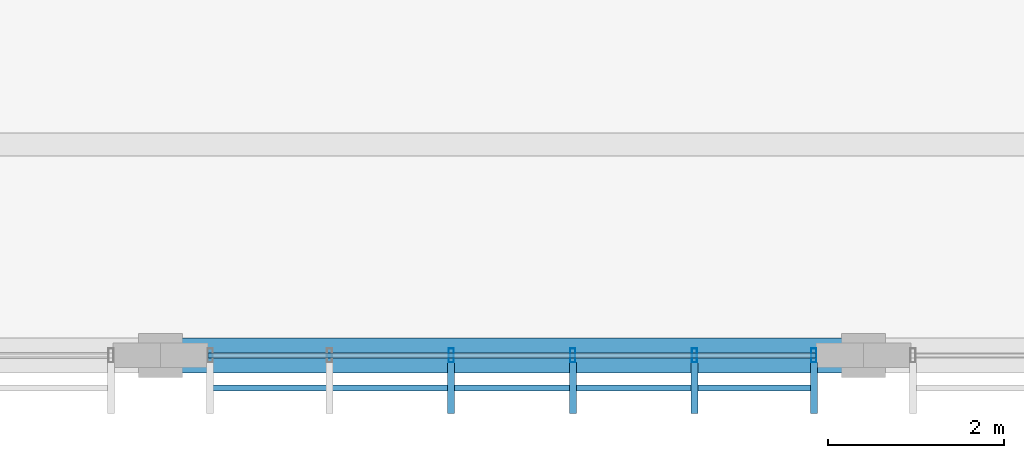
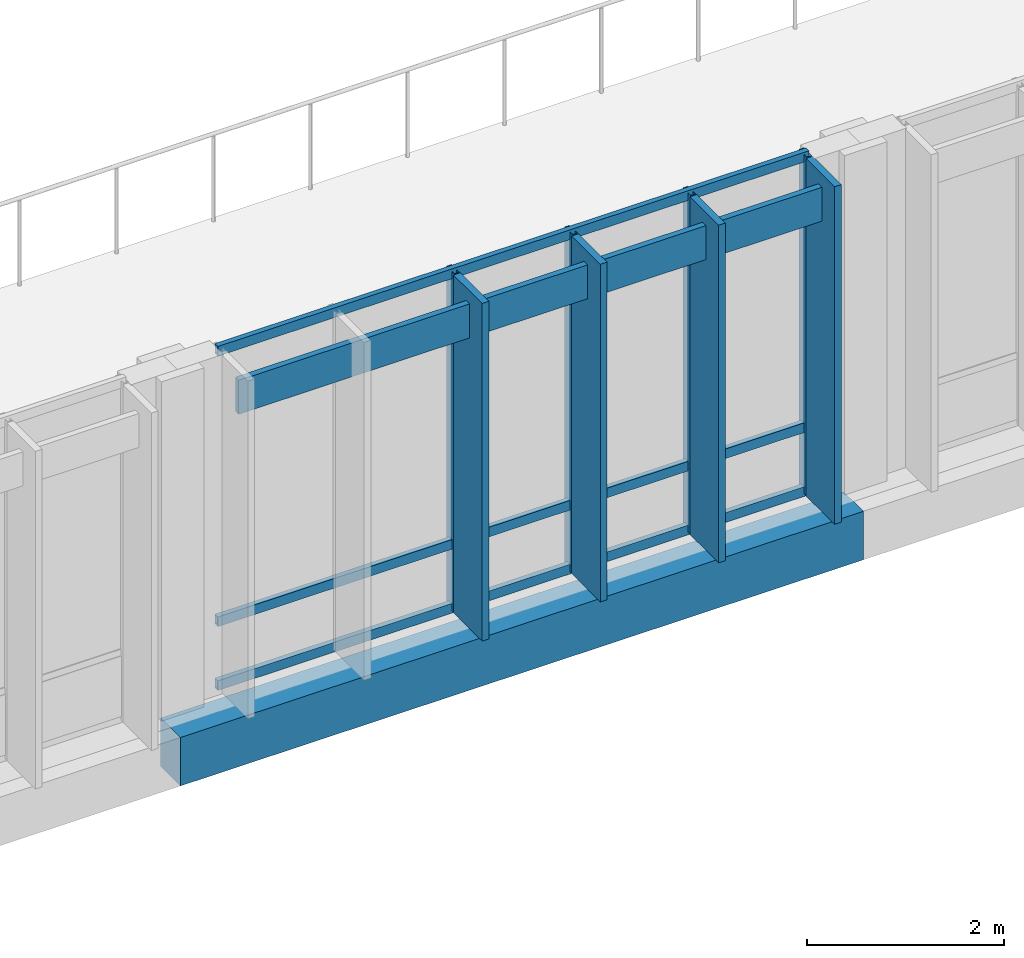
# One storey, part 13 of 182: 12 members, 1 beam, 1 element without a shape of its own.
"""IFC4 building model written with IfcOpenShell, lengths in metres."""

from ifc_helpers import new_model, si_unit, direction, frame, origin, origin_2d, place, context, subcontext, project, spatial, rectangle, hollow_rectangle, extrude, material, material_profile, profile_set, type_object, element, aggregate, save


model = new_model("IFC4")

# Units and contexts
model_context = context("Model", 3, precision=1e-05, world=origin(), true_north=direction((0.0, 1.0)))
body_context = subcontext(model_context, "Body", "Model", "MODEL_VIEW")
ifc_project = project(units=[si_unit("LENGTHUNIT", "METRE"), si_unit("AREAUNIT", "SQUARE_METRE"), si_unit("VOLUMEUNIT", "CUBIC_METRE"), si_unit("PLANEANGLEUNIT", "RADIAN"), si_unit("MASSUNIT", "GRAM", prefix="KILO")], contexts=[model_context])

# Site, building, storey
site_placement = place(None, origin())
site = spatial("IfcSite", under=ifc_project, at=site_placement, CompositionType="ELEMENT")
building_placement = place(site_placement, origin())
building = spatial("IfcBuilding", under=site, at=building_placement, Name="Chiffa Square Polytechnic", CompositionType="ELEMENT")
storey_placement = place(building_placement, frame((0.0, 0.0, 9.60009765625)))
storey = spatial("IfcBuildingStorey", under=building, at=storey_placement, Name="L02", CompositionType="ELEMENT", Elevation=9.60009765625)

# Beam
ifc_material_1 = material(Name="Concrete C35/45", Category="concrete")
ifc_material_profile_1 = material_profile(ifc_material_1, rectangle(XDim=0.39990234375, YDim=0.60009765625, at=origin_2d()), Name="RC 400x600")
ifc_profile_set_1 = profile_set([ifc_material_profile_1], Name="Concrete C35/45")
beam_type = type_object("IfcBeamType", Name="BM-RC-400X600", PredefinedType="BEAM", material=ifc_profile_set_1)
beam_placement = place(storey_placement, frame((8.0, 0.0, -0.6201171875), z_axis=(1.0, 0.0, 0.0), x_axis=(0.0, 1.0, 0.0)))
element("IfcBeam", 1, at=beam_placement, inside=storey, type_object=beam_type, Name="Primary floor girder BM-V3-L02-X-0080-0000", PredefinedType="BEAM", context=body_context, shape_type="SweptSolid", body=[
    extrude(rectangle(XDim=0.39990234375, YDim=0.60009765625, at=origin_2d()), origin(), (0.0, 0.0, 1.0), 8.0),
])

# Curtain wall, members
ifc_material_2 = material(Name="Aluminium EN AW-6060 T66 and glulam shading", Category="wood")
curtain_wall_type = type_object("IfcCurtainWallType", Name="CW-VERT-480X380", PredefinedType="USERDEFINED", material=ifc_material_2)
curtain_wall_placement = place(storey_placement, origin())
curtain_wall = element("IfcCurtainWall", 2, at=curtain_wall_placement, inside=storey, type_object=curtain_wall_type, Name="Curtain wall CW-V3-L02-166", ObjectType="CURTAIN WALL", PredefinedType="USERDEFINED")
ifc_material_3 = material(Name="Aluminium EN AW-6060 T66", Category="aluminium")
ifc_material_profile_2 = material_profile(ifc_material_3, hollow_rectangle(XDim=0.06005859375, YDim=0.159912109375, WallThickness=0.00390625, at=origin_2d()), Name="ALU 60x160x4")
ifc_profile_set_2 = profile_set([ifc_material_profile_2], Name="Aluminium EN AW-6060 T66")
member_type_1 = type_object("IfcMemberType", Name="CWM-ALU-65X150", PredefinedType="MULLION", material=ifc_profile_set_2)
member_1_placement = place(storey_placement, frame((11.30810546875, 0.0, 0.0), z_axis=(0.0, 0.0, 1.0), x_axis=(1.0, 0.0, 0.0)))
member_1 = element("IfcMember", 3, at=member_1_placement, type_object=member_type_1, Name="Curtain wall mullion CW-V3-L02-166-M02", PredefinedType="MULLION", context=body_context, shape_type="SweptSolid", body=[
    extrude(hollow_rectangle(XDim=0.06005859375, YDim=0.159912109375, WallThickness=0.00390625, at=origin_2d()), origin(), (0.0, 0.0, 1.0), 4.199951171875),
])
member_2_placement = place(storey_placement, frame((12.69189453125, 0.0, 0.0), z_axis=(0.0, 0.0, 1.0), x_axis=(1.0, 0.0, 0.0)))
member_2 = element("IfcMember", 4, at=member_2_placement, type_object=member_type_1, Name="Curtain wall mullion CW-V3-L02-166-M03", PredefinedType="MULLION", context=body_context, shape_type="SweptSolid", body=[
    extrude(hollow_rectangle(XDim=0.06005859375, YDim=0.159912109375, WallThickness=0.00390625, at=origin_2d()), origin(), (0.0, 0.0, 1.0), 4.199951171875),
])
member_3_placement = place(storey_placement, frame((14.075927734375, 0.0, 0.0), z_axis=(0.0, 0.0, 1.0), x_axis=(1.0, 0.0, 0.0)))
member_3 = element("IfcMember", 5, at=member_3_placement, type_object=member_type_1, Name="Curtain wall mullion CW-V3-L02-166-M04", PredefinedType="MULLION", context=body_context, shape_type="SweptSolid", body=[
    extrude(hollow_rectangle(XDim=0.06005859375, YDim=0.159912109375, WallThickness=0.00390625, at=origin_2d()), origin(), (0.0, 0.0, 1.0), 4.199951171875),
])
member_4_placement = place(storey_placement, frame((15.43505859375, 0.0, 0.0), z_axis=(0.0, 0.0, 1.0), x_axis=(1.0, 0.0, 0.0)))
member_4 = element("IfcMember", 6, at=member_4_placement, type_object=member_type_1, Name="Curtain wall mullion CW-V3-L02-166-M05", PredefinedType="MULLION", context=body_context, shape_type="SweptSolid", body=[
    extrude(hollow_rectangle(XDim=0.06005859375, YDim=0.159912109375, WallThickness=0.00390625, at=origin_2d()), origin(), (0.0, 0.0, 1.0), 4.199951171875),
])
ifc_material_4 = material(Name="Glulam GL28h", Category="wood")
ifc_material_profile_3 = material_profile(ifc_material_4, rectangle(XDim=0.080078125, YDim=0.580078125, at=origin_2d()), Name="GL28h 80x580")
ifc_profile_set_3 = profile_set([ifc_material_profile_3], Name="Glulam GL28h")
member_type_2 = type_object("IfcMemberType", Name="CWM-GL-80X580", PredefinedType="MULLION", material=ifc_profile_set_3)
member_5_placement = place(storey_placement, frame((11.30810546875, -0.3720703125, 0.010009765625), z_axis=(0.0, 0.0, 1.0), x_axis=(1.0, 0.0, 0.0)))
member_5 = element("IfcMember", 7, at=member_5_placement, type_object=member_type_2, Name="Exterior glulam solar fin CW-V3-L02-166-FN02", PredefinedType="MULLION", context=body_context, shape_type="SweptSolid", body=[
    extrude(rectangle(XDim=0.080078125, YDim=0.580078125, at=origin_2d()), origin(), (0.0, 0.0, 1.0), 4.179931640625),
])
member_6_placement = place(storey_placement, frame((12.69189453125, -0.3720703125, 0.010009765625), z_axis=(0.0, 0.0, 1.0), x_axis=(1.0, 0.0, 0.0)))
member_6 = element("IfcMember", 8, at=member_6_placement, type_object=member_type_2, Name="Exterior glulam solar fin CW-V3-L02-166-FN03", PredefinedType="MULLION", context=body_context, shape_type="SweptSolid", body=[
    extrude(rectangle(XDim=0.080078125, YDim=0.580078125, at=origin_2d()), origin(), (0.0, 0.0, 1.0), 4.179931640625),
])
member_7_placement = place(storey_placement, frame((14.075927734375, -0.3720703125, 0.010009765625), z_axis=(0.0, 0.0, 1.0), x_axis=(1.0, 0.0, 0.0)))
member_7 = element("IfcMember", 9, at=member_7_placement, type_object=member_type_2, Name="Exterior glulam solar fin CW-V3-L02-166-FN04", PredefinedType="MULLION", context=body_context, shape_type="SweptSolid", body=[
    extrude(rectangle(XDim=0.080078125, YDim=0.580078125, at=origin_2d()), origin(), (0.0, 0.0, 1.0), 4.179931640625),
])
member_8_placement = place(storey_placement, frame((15.43505859375, -0.3720703125, 0.010009765625), z_axis=(0.0, 0.0, 1.0), x_axis=(1.0, 0.0, 0.0)))
member_8 = element("IfcMember", 10, at=member_8_placement, type_object=member_type_2, Name="Exterior glulam solar fin CW-V3-L02-166-FN05", PredefinedType="MULLION", context=body_context, shape_type="SweptSolid", body=[
    extrude(rectangle(XDim=0.080078125, YDim=0.580078125, at=origin_2d()), origin(), (0.0, 0.0, 1.0), 4.179931640625),
])
ifc_material_profile_4 = material_profile(ifc_material_3, hollow_rectangle(XDim=0.06005859375, YDim=0.1201171875, WallThickness=0.00390625, at=origin_2d()), Name="ALU 60x120x4")
ifc_profile_set_4 = profile_set([ifc_material_profile_4], Name="Aluminium EN AW-6060 T66")
member_type_3 = type_object("IfcMemberType", Name="CWT-ALU-65X120", PredefinedType="USERDEFINED", material=ifc_profile_set_4)
member_9_placement = place(storey_placement, frame((8.5380859375, 0.0, 0.02978515625), z_axis=(1.0, 0.0, 0.0), x_axis=(0.0, 1.0, 0.0)))
member_9 = element("IfcMember", 11, at=member_9_placement, type_object=member_type_3, Name="Curtain wall transom CW-V3-L02-166-T01", ObjectType="TRANSOM", PredefinedType="USERDEFINED", context=body_context, shape_type="SweptSolid", body=[
    extrude(hollow_rectangle(XDim=0.06005859375, YDim=0.1201171875, WallThickness=0.00390625, at=origin_2d()), origin(), (0.0, 0.0, 1.0), 6.923828125),
])
member_10_placement = place(storey_placement, frame((8.5380859375, 0.0, 0.81982421875), z_axis=(1.0, 0.0, 0.0), x_axis=(0.0, 1.0, 0.0)))
member_10 = element("IfcMember", 12, at=member_10_placement, type_object=member_type_3, Name="Curtain wall transom CW-V3-L02-166-T02", ObjectType="TRANSOM", PredefinedType="USERDEFINED", context=body_context, shape_type="SweptSolid", body=[
    extrude(hollow_rectangle(XDim=0.06005859375, YDim=0.1201171875, WallThickness=0.00390625, at=origin_2d()), origin(), (0.0, 0.0, 1.0), 6.923828125),
])
member_11_placement = place(storey_placement, frame((8.5380859375, 0.0, 4.169921875), z_axis=(1.0, 0.0, 0.0), x_axis=(0.0, 1.0, 0.0)))
member_11 = element("IfcMember", 13, at=member_11_placement, type_object=member_type_3, Name="Curtain wall transom CW-V3-L02-166-T03", ObjectType="TRANSOM", PredefinedType="USERDEFINED", context=body_context, shape_type="SweptSolid", body=[
    extrude(hollow_rectangle(XDim=0.06005859375, YDim=0.1201171875, WallThickness=0.00390625, at=origin_2d()), origin(), (0.0, 0.0, 1.0), 6.923828125),
])
ifc_material_profile_5 = material_profile(ifc_material_4, rectangle(XDim=0.070068359375, YDim=0.419921875, at=origin_2d()), Name="GL28h 70x420")
ifc_profile_set_5 = profile_set([ifc_material_profile_5], Name="Glulam GL28h")
member_type_4 = type_object("IfcMemberType", Name="CWT-GL-70X420", PredefinedType="USERDEFINED", material=ifc_profile_set_5)
member_12_placement = place(storey_placement, frame((8.56494140625, -0.3720703125, 3.81982421875), z_axis=(1.0, 0.0, 0.0), x_axis=(0.0, 1.0, 0.0)))
member_12 = element("IfcMember", 14, at=member_12_placement, type_object=member_type_4, Name="Exterior glulam brise-soleil CW-V3-L02-166-BS01", ObjectType="TRANSOM", PredefinedType="USERDEFINED", context=body_context, shape_type="SweptSolid", body=[
    extrude(rectangle(XDim=0.070068359375, YDim=0.419921875, at=origin_2d()), origin(), (0.0, 0.0, 1.0), 6.8701171875),
])
aggregate(curtain_wall, [member_1, member_5, member_2, member_6, member_3, member_7, member_4, member_8, member_9, member_10, member_11, member_12])

save(model, "model.ifc")
